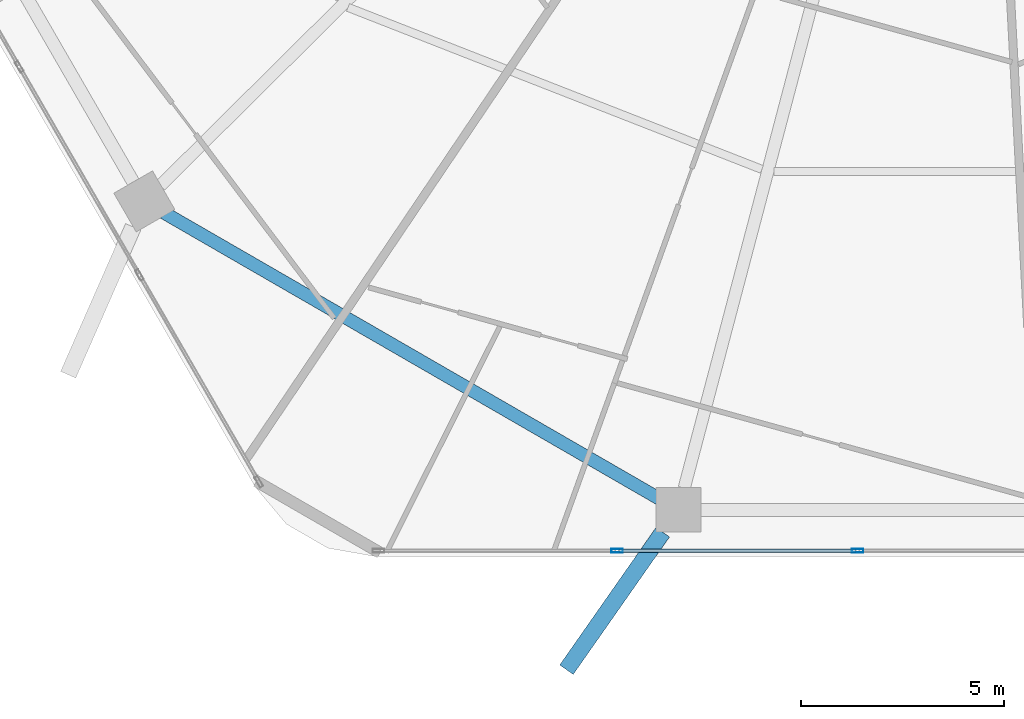
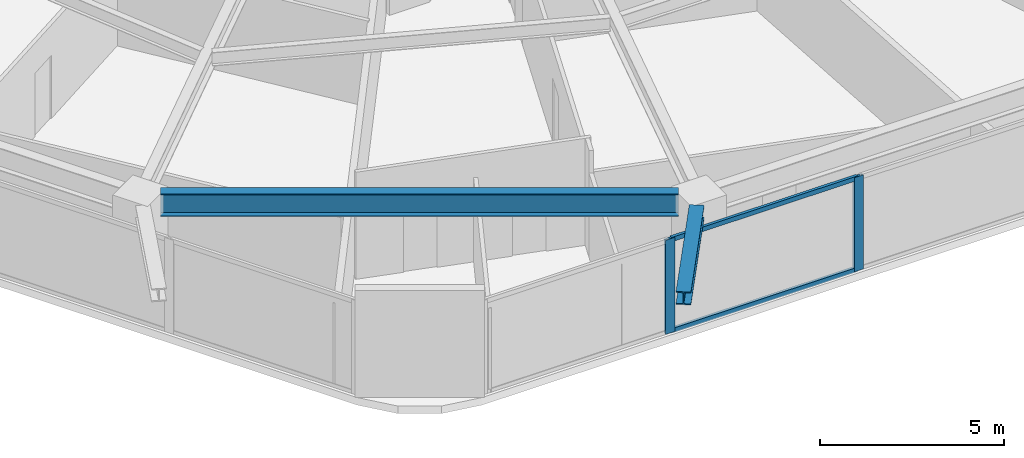
# One storey, part 3 of 32: 4 members, 2 beams, 1 element without a shape of its own.
"""IFC4 building model written with IfcOpenShell, lengths in metres."""

from ifc_helpers import new_model, si_unit, direction, frame, origin, origin_2d, place, context, subcontext, project, spatial, hollow_rectangle, i_section, extrude, material, material_profile, profile_set, type_object, element, aggregate, save


model = new_model("IFC4")

# Units and contexts
model_context = context("Model", 3, precision=1e-05, world=origin(), true_north=direction((0.0, 1.0)))
body_context = subcontext(model_context, "Body", "Model", "MODEL_VIEW")
ifc_project = project(units=[si_unit("LENGTHUNIT", "METRE"), si_unit("AREAUNIT", "SQUARE_METRE"), si_unit("VOLUMEUNIT", "CUBIC_METRE"), si_unit("PLANEANGLEUNIT", "RADIAN"), si_unit("MASSUNIT", "GRAM", prefix="KILO")], contexts=[model_context])

# Site, building, storey
site_placement = place(None, origin())
site = spatial("IfcSite", under=ifc_project, at=site_placement, CompositionType="ELEMENT")
building_placement = place(site_placement, origin())
building = spatial("IfcBuilding", under=site, at=building_placement, Name="Zuhravey Tower", CompositionType="ELEMENT")
storey_placement = place(building_placement, frame((0.0, 0.0, 119.0)))
storey = spatial("IfcBuildingStorey", under=building, at=storey_placement, Name="L29", CompositionType="ELEMENT", Elevation=119.0)

# Curtain wall, members
ifc_material_1 = material(Name="Thermally broken anodised aluminium", Category="aluminium")
curtain_wall_type = type_object("IfcCurtainWallType", Name="Zone 1-2 Residential Curtain Wall CW3", PredefinedType="NOTDEFINED", material=ifc_material_1)
curtain_wall_placement = place(storey_placement, origin())
curtain_wall = element("IfcCurtainWall", 1, at=curtain_wall_placement, inside=storey, type_object=curtain_wall_type, Name="L29 CW3 CW-L29-F5-1", PredefinedType="NOTDEFINED")
ifc_material_2 = material(Name="Anodised aluminium", Category="aluminium")
ifc_material_profile_1 = material_profile(ifc_material_2, hollow_rectangle(XDim=0.090087890625, YDim=0.284912109375, WallThickness=0.0048828125, at=origin_2d()), Name="ALU-RHS-90x285x5")
ifc_profile_set_1 = profile_set([ifc_material_profile_1], Name="Anodised aluminium")
member_type_1 = type_object("IfcMemberType", Name="Curtain-Wall Mullion 90x180", PredefinedType="MULLION", material=ifc_profile_set_1)
member_1_placement = place(storey_placement, frame((33.0400390625, 3.04150390625, 0.0), z_axis=(0.0, 0.0, 1.0), x_axis=(0.0, -1.0, 0.0)))
member_1 = element("IfcMember", 2, at=member_1_placement, type_object=member_type_1, Name="CW3 mullion 4", PredefinedType="MULLION", context=body_context, shape_type="SweptSolid", body=[
    extrude(hollow_rectangle(XDim=0.090087890625, YDim=0.284912109375, WallThickness=0.0048828125, at=origin_2d()), origin(), (0.0, 0.0, 1.0), 3.1220703125),
])
member_2_placement = place(storey_placement, frame((27.120361328125, 3.04150390625, 0.0), z_axis=(0.0, 0.0, 1.0), x_axis=(0.0, -1.0, 0.0)))
member_2 = element("IfcMember", 3, at=member_2_placement, type_object=member_type_1, Name="CW3 mullion 5", PredefinedType="MULLION", context=body_context, shape_type="SweptSolid", body=[
    extrude(hollow_rectangle(XDim=0.090087890625, YDim=0.284912109375, WallThickness=0.0048828125, at=origin_2d()), origin(), (0.0, 0.0, 1.0), 3.1220703125),
])
ifc_material_profile_2 = material_profile(ifc_material_2, hollow_rectangle(XDim=0.090087890625, YDim=0.14990234375, WallThickness=0.0048828125, at=origin_2d()), Name="ALU-RHS-90x150x5")
ifc_profile_set_2 = profile_set([ifc_material_profile_2], Name="Anodised aluminium")
member_type_2 = type_object("IfcMemberType", Name="Curtain-Wall Transom 90x150", PredefinedType="USERDEFINED", material=ifc_profile_set_2)
member_3_placement = place(storey_placement, frame((32.9951171875, 3.04150390625, 0.044921875), z_axis=(-1.0, 0.0, 0.0), x_axis=(0.0, -1.0, 0.0)))
member_3 = element("IfcMember", 4, at=member_3_placement, type_object=member_type_2, Name="CW3 transom 4.1", ObjectType="TRANSOM", PredefinedType="USERDEFINED", context=body_context, shape_type="SweptSolid", body=[
    extrude(hollow_rectangle(XDim=0.090087890625, YDim=0.14990234375, WallThickness=0.0048828125, at=origin_2d()), origin(), (0.0, 0.0, 1.0), 5.829833984375),
])
member_4_placement = place(storey_placement, frame((32.9951171875, 3.04150390625, 3.076904296875), z_axis=(-1.0, 0.0, 0.0), x_axis=(0.0, -1.0, 0.0)))
member_4 = element("IfcMember", 5, at=member_4_placement, type_object=member_type_2, Name="CW3 transom 4.2", ObjectType="TRANSOM", PredefinedType="USERDEFINED", context=body_context, shape_type="SweptSolid", body=[
    extrude(hollow_rectangle(XDim=0.090087890625, YDim=0.14990234375, WallThickness=0.0048828125, at=origin_2d()), origin(), (0.0, 0.0, 1.0), 5.829833984375),
])
aggregate(curtain_wall, [member_1, member_2, member_3, member_4])

# Beams
ifc_material_3 = material(Name="Steel SM460", Category="steel")
ifc_material_profile_3 = material_profile(ifc_material_3, i_section(OverallWidth=0.406982421875, OverallDepth=0.427978515625, WebThickness=0.02001953125, FlangeThickness=0.034912109375, at=origin_2d()), Name="H-428x407x20x35")
ifc_profile_set_3 = profile_set([ifc_material_profile_3], Name="Steel SM460")
beam_type_1 = type_object("IfcBeamType", Name="Exoskeleton Node Tie Beam H428x407", PredefinedType="BEAM", material=ifc_profile_set_3)
beam_1_placement = place(storey_placement, frame((28.242431640625, 3.498291015625, 3.3359375), z_axis=(-0.573696273938, -0.819068120042, 0.0), x_axis=(0.819068120042, -0.573696273938, 0.0)))
element("IfcBeam", 6, at=beam_1_placement, inside=storey, type_object=beam_type_1, Name="L29 Exoskeleton Node Tie NT1-09", PredefinedType="BEAM", context=body_context, shape_type="SweptSolid", body=[
    extrude(i_section(OverallWidth=0.406982421875, OverallDepth=0.427978515625, WebThickness=0.02001953125, FlangeThickness=0.034912109375, at=origin_2d()), origin(), (0.0, 0.0, 1.0), 4.132080078125),
])
ifc_material_4 = material(Name="Steel SM355", Category="steel")
ifc_material_profile_4 = material_profile(ifc_material_4, i_section(OverallWidth=0.320068359375, OverallDepth=0.75, WebThickness=0.013916015625, FlangeThickness=0.02490234375, at=origin_2d()), Name="H-750x320x14x25")
ifc_profile_set_4 = profile_set([ifc_material_profile_4], Name="Steel SM355")
beam_type_2 = type_object("IfcBeamType", Name="Perimeter Ring Beam H750x320", PredefinedType="BEAM", material=ifc_profile_set_4)
beam_2_placement = place(storey_placement, frame((15.9599609375, 11.36669921875, 3.175048828125), z_axis=(0.866017786538, -0.500013193225, 0.0), x_axis=(0.500013193225, 0.866017786538, 0.0)))
element("IfcBeam", 7, at=beam_2_placement, inside=storey, type_object=beam_type_2, Name="L29 PB1 BM-L29-PB-08", PredefinedType="BEAM", context=body_context, shape_type="SweptSolid", body=[
    extrude(i_section(OverallWidth=0.320068359375, OverallDepth=0.75, WebThickness=0.013916015625, FlangeThickness=0.02490234375, at=origin_2d()), origin(), (0.0, 0.0, 1.0), 14.0771484375),
])

save(model, "model.ifc")
